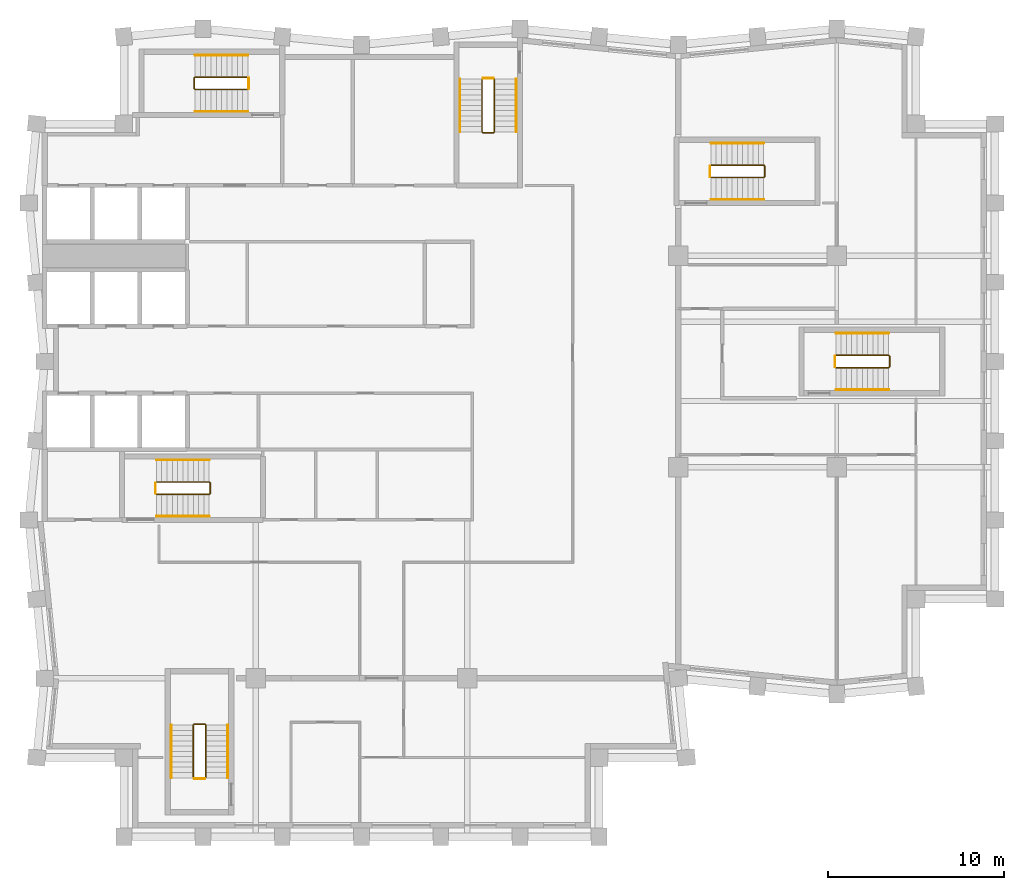
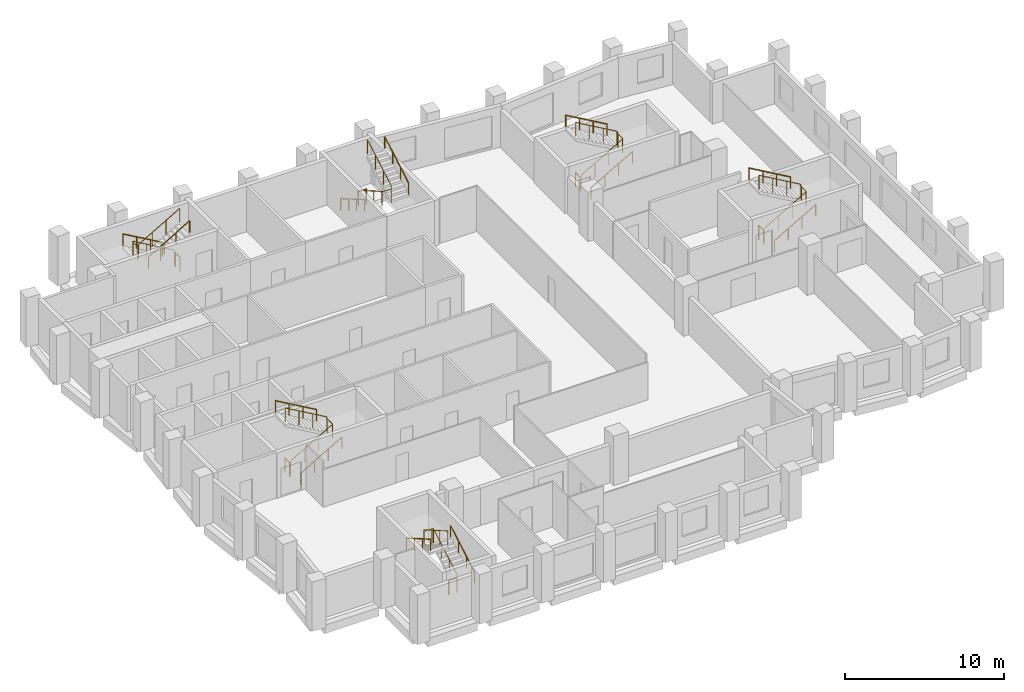
# One storey, part 7 of 7: 24 railings.
"""IFC4 building model written with IfcOpenShell, lengths in metres."""

from ifc_helpers import new_model, si_unit, direction, frame, origin, origin_2d, place, context, subcontext, project, spatial, circle, extrude, material, type_object, element, save


model = new_model("IFC4")

# Units and contexts
model_context = context("Model", 3, precision=1e-05, world=origin(), true_north=direction((0.0, 1.0)))
body_context = subcontext(model_context, "Body", "Model", "MODEL_VIEW")
ifc_project = project(units=[si_unit("LENGTHUNIT", "METRE"), si_unit("AREAUNIT", "SQUARE_METRE"), si_unit("VOLUMEUNIT", "CUBIC_METRE"), si_unit("PLANEANGLEUNIT", "RADIAN"), si_unit("MASSUNIT", "GRAM", prefix="KILO")], contexts=[model_context])

# Site, building, storey
site_placement = place(None, origin())
site = spatial("IfcSite", under=ifc_project, at=site_placement, CompositionType="ELEMENT")
building_placement = place(site_placement, origin())
building = spatial("IfcBuilding", under=site, at=building_placement, Name="Brondeck Convention Tower", CompositionType="ELEMENT")
storey_placement = place(building_placement, frame((0.0, 0.0, 202.60009765625)))
storey = spatial("IfcBuildingStorey", under=building, at=storey_placement, Name="L49", CompositionType="ELEMENT", Elevation=202.60009765625)

# Railings
ifc_material = material(Name="Steel S355", Category="steel")
railing_type_1 = type_object("IfcRailingType", Name="Stair guard 1100", PredefinedType="GUARDRAIL", material=ifc_material)
railing_1_placement = place(storey_placement, frame((6.35009765625, 37.449951171875, 0.172607421875)))
element("IfcRailing", 1, at=railing_1_placement, inside=storey, type_object=railing_type_1, Name="L49 ST-1 stair guard 1", PredefinedType="GUARDRAIL", context=body_context, shape_type="SweptSolid", body=[
    extrude(circle(Radius=0.02392578125, at=origin_2d()), frame((0.0, 0.0, 1.076171875), z_axis=(0.866619684472, 0.0, 0.498969260062), x_axis=(0.0, 1.0, 0.0)), (0.0, 0.0, 1.0), 3.461669921875),
    extrude(circle(Radius=0.02392578125, at=origin_2d()), frame((3.0, 0.0, 2.80322265625), z_axis=(0.705375805398, 0.708833529934, 0.0), x_axis=(-0.708833529934, 0.705375805398, 0.0)), (0.0, 0.0, 1.0), 0.070556640625),
    extrude(circle(Radius=0.02392578125, at=origin_2d()), frame((3.0498046875, 0.050048828125, 2.80322265625), z_axis=(0.0, 1.0, 0.0), x_axis=(-1.0, 0.0, 0.0)), (0.0, 0.0, 1.0), 0.60009765625),
    extrude(circle(Radius=0.02392578125, at=origin_2d()), frame((3.0498046875, 0.650146484375, 2.80322265625), z_axis=(-0.26715648603, 0.26715648603, 0.925880566782), x_axis=(-0.707106781187, -0.707106781187, 0.0)), (0.0, 0.0, 1.0), 0.1865234375),
    extrude(circle(Radius=0.02392578125, at=origin_2d()), frame((3.0, 0.699951171875, 2.97607421875), z_axis=(-0.866619684472, 0.0, 0.498969260062), x_axis=(0.0, -1.0, 0.0)), (0.0, 0.0, 1.0), 3.461669921875),
    extrude(circle(Radius=0.02099609375, at=origin_2d()), origin(), (0.0, 0.0, 1.0), 1.052001953125),
    extrude(circle(Radius=0.02099609375, at=origin_2d()), frame((1.0, 0.0, 0.57568359375)), (0.0, 0.0, 1.0), 1.052001953125),
    extrude(circle(Radius=0.02099609375, at=origin_2d()), frame((2.0, 0.0, 1.151611328125)), (0.0, 0.0, 1.0), 1.052001953125),
    extrude(circle(Radius=0.02099609375, at=origin_2d()), frame((3.0, 0.0, 1.727294921875)), (0.0, 0.0, 1.0), 1.052001953125),
    extrude(circle(Radius=0.02099609375, at=origin_2d()), frame((3.0498046875, 0.050048828125, 1.727294921875)), (0.0, 0.0, 1.0), 1.052001953125),
    extrude(circle(Radius=0.02099609375, at=origin_2d()), frame((3.0498046875, 0.650146484375, 1.727294921875)), (0.0, 0.0, 1.0), 1.052001953125),
    extrude(circle(Radius=0.02099609375, at=origin_2d()), frame((3.0, 0.699951171875, 1.89990234375)), (0.0, 0.0, 1.0), 1.052001953125),
    extrude(circle(Radius=0.02099609375, at=origin_2d()), frame((2.0, 0.699951171875, 2.4755859375)), (0.0, 0.0, 1.0), 1.052001953125),
    extrude(circle(Radius=0.02099609375, at=origin_2d()), frame((1.0, 0.699951171875, 3.051513671875)), (0.0, 0.0, 1.0), 1.052001953125),
    extrude(circle(Radius=0.02099609375, at=origin_2d()), frame((0.0, 0.699951171875, 3.627197265625)), (0.0, 0.0, 1.0), 1.052001953125),
])
railing_2_placement = place(storey_placement, frame((6.300048828125, 37.5, 0.0)))
element("IfcRailing", 2, at=railing_2_placement, inside=storey, type_object=railing_type_1, Name="L49 ST-1 stair guard 2", PredefinedType="GUARDRAIL", context=body_context, shape_type="SweptSolid", body=[
    extrude(circle(Radius=0.02392578125, at=origin_2d()), frame((0.0, 0.0, 1.076171875), z_axis=(0.0, 1.0, 0.0), x_axis=(-1.0, 0.0, 0.0)), (0.0, 0.0, 1.0), 0.60009765625),
    extrude(circle(Radius=0.02099609375, at=origin_2d()), origin(), (0.0, 0.0, 1.0), 1.052001953125),
    extrude(circle(Radius=0.02099609375, at=origin_2d()), frame((0.0, 0.60009765625, 0.0)), (0.0, 0.0, 1.0), 1.052001953125),
])
railing_3_placement = place(storey_placement, frame((24.85009765625, 61.050048828125, 0.172607421875)))
element("IfcRailing", 3, at=railing_3_placement, inside=storey, type_object=railing_type_1, Name="L49 ST-2 stair guard 1", PredefinedType="GUARDRAIL", context=body_context, shape_type="SweptSolid", body=[
    extrude(circle(Radius=0.02392578125, at=origin_2d()), frame((0.0, 0.0, 1.076171875), z_axis=(0.0, -0.866619684472, 0.498969260062), x_axis=(1.0, 0.0, 0.0)), (0.0, 0.0, 1.0), 3.461669921875),
    extrude(circle(Radius=0.02392578125, at=origin_2d()), frame((0.0, -3.0, 2.80322265625), z_axis=(0.705375805398, -0.708833529934, 0.0), x_axis=(0.708833529934, 0.705375805398, 0.0)), (0.0, 0.0, 1.0), 0.070556640625),
    extrude(circle(Radius=0.02392578125, at=origin_2d()), frame((0.0498046875, -3.050048828125, 2.80322265625), z_axis=(1.0, 0.0, 0.0), x_axis=(0.0, 1.0, 0.0)), (0.0, 0.0, 1.0), 0.60009765625),
    extrude(circle(Radius=0.02392578125, at=origin_2d()), frame((0.64990234375, -3.050048828125, 2.80322265625), z_axis=(0.268277960024, 0.268277960024, 0.925231793839), x_axis=(-0.707106781187, 0.707106781187, 0.0)), (0.0, 0.0, 1.0), 0.1865234375),
    extrude(circle(Radius=0.02392578125, at=origin_2d()), frame((0.699951171875, -3.0, 2.97607421875), z_axis=(0.0, 0.866619684472, 0.498969260062), x_axis=(-1.0, 0.0, 0.0)), (0.0, 0.0, 1.0), 3.461669921875),
    extrude(circle(Radius=0.02099609375, at=origin_2d()), origin(), (0.0, 0.0, 1.0), 1.052001953125),
    extrude(circle(Radius=0.02099609375, at=origin_2d()), frame((0.0, -1.0, 0.57568359375)), (0.0, 0.0, 1.0), 1.052001953125),
    extrude(circle(Radius=0.02099609375, at=origin_2d()), frame((0.0, -2.0, 1.151611328125)), (0.0, 0.0, 1.0), 1.052001953125),
    extrude(circle(Radius=0.02099609375, at=origin_2d()), frame((0.0, -3.0, 1.727294921875)), (0.0, 0.0, 1.0), 1.052001953125),
    extrude(circle(Radius=0.02099609375, at=origin_2d()), frame((0.0498046875, -3.050048828125, 1.727294921875)), (0.0, 0.0, 1.0), 1.052001953125),
    extrude(circle(Radius=0.02099609375, at=origin_2d()), frame((0.64990234375, -3.050048828125, 1.727294921875)), (0.0, 0.0, 1.0), 1.052001953125),
    extrude(circle(Radius=0.02099609375, at=origin_2d()), frame((0.699951171875, -3.0, 1.89990234375)), (0.0, 0.0, 1.0), 1.052001953125),
    extrude(circle(Radius=0.02099609375, at=origin_2d()), frame((0.699951171875, -2.0, 2.4755859375)), (0.0, 0.0, 1.0), 1.052001953125),
    extrude(circle(Radius=0.02099609375, at=origin_2d()), frame((0.699951171875, -1.0, 3.051513671875)), (0.0, 0.0, 1.0), 1.052001953125),
    extrude(circle(Radius=0.02099609375, at=origin_2d()), frame((0.699951171875, 0.0, 3.627197265625)), (0.0, 0.0, 1.0), 1.052001953125),
])
railing_4_placement = place(storey_placement, frame((24.89990234375, 61.10009765625, 0.0)))
element("IfcRailing", 4, at=railing_4_placement, inside=storey, type_object=railing_type_1, Name="L49 ST-2 stair guard 2", PredefinedType="GUARDRAIL", context=body_context, shape_type="SweptSolid", body=[
    extrude(circle(Radius=0.02392578125, at=origin_2d()), frame((0.0, 0.0, 1.076171875), z_axis=(1.0, 0.0, 0.0), x_axis=(0.0, 1.0, 0.0)), (0.0, 0.0, 1.0), 0.60009765625),
    extrude(circle(Radius=0.02099609375, at=origin_2d()), origin(), (0.0, 0.0, 1.0), 1.052001953125),
    extrude(circle(Radius=0.02099609375, at=origin_2d()), frame((0.60009765625, 0.0, 0.0)), (0.0, 0.0, 1.0), 1.052001953125),
])
railing_5_placement = place(storey_placement, frame((11.550048828125, 61.14990234375, 0.172607421875)))
element("IfcRailing", 5, at=railing_5_placement, inside=storey, type_object=railing_type_1, Name="L49 ST-3 stair guard 1", PredefinedType="GUARDRAIL", context=body_context, shape_type="SweptSolid", body=[
    extrude(circle(Radius=0.02392578125, at=origin_2d()), frame((0.0, 0.0, 1.076171875), z_axis=(-0.866619684472, 0.0, 0.498969260062), x_axis=(0.0, -1.0, 0.0)), (0.0, 0.0, 1.0), 3.461669921875),
    extrude(circle(Radius=0.02392578125, at=origin_2d()), frame((-3.0, 0.0, 2.80322265625), z_axis=(-0.708833529934, -0.705375805398, 0.0), x_axis=(0.705375805398, -0.708833529934, 0.0)), (0.0, 0.0, 1.0), 0.070556640625),
    extrude(circle(Radius=0.02392578125, at=origin_2d()), frame((-3.050048828125, -0.0498046875, 2.80322265625), z_axis=(0.0, -1.0, 0.0), x_axis=(1.0, 0.0, 0.0)), (0.0, 0.0, 1.0), 0.60009765625),
    extrude(circle(Radius=0.02392578125, at=origin_2d()), frame((-3.050048828125, -0.64990234375, 2.80322265625), z_axis=(0.268277960024, -0.268277960024, 0.925231793839), x_axis=(0.707106781187, 0.707106781187, 0.0)), (0.0, 0.0, 1.0), 0.1865234375),
    extrude(circle(Radius=0.02392578125, at=origin_2d()), frame((-3.0, -0.699951171875, 2.97607421875), z_axis=(0.866619684472, 0.0, 0.498969260062), x_axis=(0.0, 1.0, 0.0)), (0.0, 0.0, 1.0), 3.461669921875),
    extrude(circle(Radius=0.02099609375, at=origin_2d()), origin(), (0.0, 0.0, 1.0), 1.052001953125),
    extrude(circle(Radius=0.02099609375, at=origin_2d()), frame((-1.0, 0.0, 0.57568359375)), (0.0, 0.0, 1.0), 1.052001953125),
    extrude(circle(Radius=0.02099609375, at=origin_2d()), frame((-2.0, 0.0, 1.151611328125)), (0.0, 0.0, 1.0), 1.052001953125),
    extrude(circle(Radius=0.02099609375, at=origin_2d()), frame((-3.0, 0.0, 1.727294921875)), (0.0, 0.0, 1.0), 1.052001953125),
    extrude(circle(Radius=0.02099609375, at=origin_2d()), frame((-3.050048828125, -0.0498046875, 1.727294921875)), (0.0, 0.0, 1.0), 1.052001953125),
    extrude(circle(Radius=0.02099609375, at=origin_2d()), frame((-3.050048828125, -0.64990234375, 1.727294921875)), (0.0, 0.0, 1.0), 1.052001953125),
    extrude(circle(Radius=0.02099609375, at=origin_2d()), frame((-3.0, -0.699951171875, 1.89990234375)), (0.0, 0.0, 1.0), 1.052001953125),
    extrude(circle(Radius=0.02099609375, at=origin_2d()), frame((-2.0, -0.699951171875, 2.4755859375)), (0.0, 0.0, 1.0), 1.052001953125),
    extrude(circle(Radius=0.02099609375, at=origin_2d()), frame((-1.0, -0.699951171875, 3.051513671875)), (0.0, 0.0, 1.0), 1.052001953125),
    extrude(circle(Radius=0.02099609375, at=origin_2d()), frame((0.0, -0.699951171875, 3.627197265625)), (0.0, 0.0, 1.0), 1.052001953125),
])
railing_6_placement = place(storey_placement, frame((11.60009765625, 61.10009765625, 0.0)))
element("IfcRailing", 6, at=railing_6_placement, inside=storey, type_object=railing_type_1, Name="L49 ST-3 stair guard 2", PredefinedType="GUARDRAIL", context=body_context, shape_type="SweptSolid", body=[
    extrude(circle(Radius=0.02392578125, at=origin_2d()), frame((0.0, 0.0, 1.076171875), z_axis=(0.0, -1.0, 0.0), x_axis=(1.0, 0.0, 0.0)), (0.0, 0.0, 1.0), 0.60009765625),
    extrude(circle(Radius=0.02099609375, at=origin_2d()), origin(), (0.0, 0.0, 1.0), 1.052001953125),
    extrude(circle(Radius=0.02099609375, at=origin_2d()), frame((0.0, -0.60009765625, 0.0)), (0.0, 0.0, 1.0), 1.052001953125),
])
railing_7_placement = place(storey_placement, frame((37.85009765625, 55.449951171875, 0.172607421875)))
element("IfcRailing", 7, at=railing_7_placement, inside=storey, type_object=railing_type_1, Name="L49 ST-AE stair guard 1", PredefinedType="GUARDRAIL", context=body_context, shape_type="SweptSolid", body=[
    extrude(circle(Radius=0.02392578125, at=origin_2d()), frame((0.0, 0.0, 1.076171875), z_axis=(0.866619684472, 0.0, 0.498969260062), x_axis=(0.0, 1.0, 0.0)), (0.0, 0.0, 1.0), 3.461669921875),
    extrude(circle(Radius=0.02392578125, at=origin_2d()), frame((3.0, 0.0, 2.80322265625), z_axis=(0.705375805398, 0.708833529934, 0.0), x_axis=(-0.708833529934, 0.705375805398, 0.0)), (0.0, 0.0, 1.0), 0.070556640625),
    extrude(circle(Radius=0.02392578125, at=origin_2d()), frame((3.0498046875, 0.050048828125, 2.80322265625), z_axis=(0.0, 1.0, 0.0), x_axis=(-1.0, 0.0, 0.0)), (0.0, 0.0, 1.0), 0.60009765625),
    extrude(circle(Radius=0.02392578125, at=origin_2d()), frame((3.0498046875, 0.650146484375, 2.80322265625), z_axis=(-0.26715648603, 0.26715648603, 0.925880566782), x_axis=(-0.707106781187, -0.707106781187, 0.0)), (0.0, 0.0, 1.0), 0.1865234375),
    extrude(circle(Radius=0.02392578125, at=origin_2d()), frame((3.0, 0.699951171875, 2.97607421875), z_axis=(-0.866619684472, 0.0, 0.498969260062), x_axis=(0.0, -1.0, 0.0)), (0.0, 0.0, 1.0), 3.461669921875),
    extrude(circle(Radius=0.02099609375, at=origin_2d()), origin(), (0.0, 0.0, 1.0), 1.052001953125),
    extrude(circle(Radius=0.02099609375, at=origin_2d()), frame((1.0, 0.0, 0.57568359375)), (0.0, 0.0, 1.0), 1.052001953125),
    extrude(circle(Radius=0.02099609375, at=origin_2d()), frame((2.0, 0.0, 1.151611328125)), (0.0, 0.0, 1.0), 1.052001953125),
    extrude(circle(Radius=0.02099609375, at=origin_2d()), frame((3.0, 0.0, 1.727294921875)), (0.0, 0.0, 1.0), 1.052001953125),
    extrude(circle(Radius=0.02099609375, at=origin_2d()), frame((3.0498046875, 0.050048828125, 1.727294921875)), (0.0, 0.0, 1.0), 1.052001953125),
    extrude(circle(Radius=0.02099609375, at=origin_2d()), frame((3.0498046875, 0.650146484375, 1.727294921875)), (0.0, 0.0, 1.0), 1.052001953125),
    extrude(circle(Radius=0.02099609375, at=origin_2d()), frame((3.0, 0.699951171875, 1.89990234375)), (0.0, 0.0, 1.0), 1.052001953125),
    extrude(circle(Radius=0.02099609375, at=origin_2d()), frame((2.0, 0.699951171875, 2.4755859375)), (0.0, 0.0, 1.0), 1.052001953125),
    extrude(circle(Radius=0.02099609375, at=origin_2d()), frame((1.0, 0.699951171875, 3.051513671875)), (0.0, 0.0, 1.0), 1.052001953125),
    extrude(circle(Radius=0.02099609375, at=origin_2d()), frame((0.0, 0.699951171875, 3.627197265625)), (0.0, 0.0, 1.0), 1.052001953125),
])
railing_8_placement = place(storey_placement, frame((37.800048828125, 55.5, 0.0)))
element("IfcRailing", 8, at=railing_8_placement, inside=storey, type_object=railing_type_1, Name="L49 ST-AE stair guard 2", PredefinedType="GUARDRAIL", context=body_context, shape_type="SweptSolid", body=[
    extrude(circle(Radius=0.02392578125, at=origin_2d()), frame((0.0, 0.0, 1.076171875), z_axis=(0.0, 1.0, 0.0), x_axis=(-1.0, 0.0, 0.0)), (0.0, 0.0, 1.0), 0.60009765625),
    extrude(circle(Radius=0.02099609375, at=origin_2d()), origin(), (0.0, 0.0, 1.0), 1.052001953125),
    extrude(circle(Radius=0.02099609375, at=origin_2d()), frame((0.0, 0.60009765625, 0.0)), (0.0, 0.0, 1.0), 1.052001953125),
])
railing_9_placement = place(storey_placement, frame((9.14990234375, 21.35009765625, 0.172607421875)))
element("IfcRailing", 9, at=railing_9_placement, inside=storey, type_object=railing_type_1, Name="L49 ST-BE stair guard 1", PredefinedType="GUARDRAIL", context=body_context, shape_type="SweptSolid", body=[
    extrude(circle(Radius=0.02392578125, at=origin_2d()), frame((0.0, 0.0, 1.076171875), z_axis=(0.0, 0.866619684472, 0.498969260062), x_axis=(-1.0, 0.0, 0.0)), (0.0, 0.0, 1.0), 3.461669921875),
    extrude(circle(Radius=0.02392578125, at=origin_2d()), frame((0.0, 3.0, 2.80322265625), z_axis=(-0.707106781187, 0.707106781187, 0.0), x_axis=(-0.707106781187, -0.707106781187, 0.0)), (0.0, 0.0, 1.0), 0.0703125),
    extrude(circle(Radius=0.02392578125, at=origin_2d()), frame((-0.0498046875, 3.0498046875, 2.80322265625), z_axis=(-1.0, 0.0, 0.0), x_axis=(0.0, -1.0, 0.0)), (0.0, 0.0, 1.0), 0.60009765625),
    extrude(circle(Radius=0.02392578125, at=origin_2d()), frame((-0.64990234375, 3.0498046875, 2.80322265625), z_axis=(-0.268371968888, -0.267062837333, 0.925556009775), x_axis=(0.705375805398, -0.708833529934, 0.0)), (0.0, 0.0, 1.0), 0.1865234375),
    extrude(circle(Radius=0.02392578125, at=origin_2d()), frame((-0.699951171875, 3.0, 2.97607421875), z_axis=(0.0, -0.866619684472, 0.498969260062), x_axis=(1.0, 0.0, 0.0)), (0.0, 0.0, 1.0), 3.461669921875),
    extrude(circle(Radius=0.02099609375, at=origin_2d()), origin(), (0.0, 0.0, 1.0), 1.052001953125),
    extrude(circle(Radius=0.02099609375, at=origin_2d()), frame((0.0, 1.0, 0.57568359375)), (0.0, 0.0, 1.0), 1.052001953125),
    extrude(circle(Radius=0.02099609375, at=origin_2d()), frame((0.0, 2.0, 1.151611328125)), (0.0, 0.0, 1.0), 1.052001953125),
    extrude(circle(Radius=0.02099609375, at=origin_2d()), frame((0.0, 3.0, 1.727294921875)), (0.0, 0.0, 1.0), 1.052001953125),
    extrude(circle(Radius=0.02099609375, at=origin_2d()), frame((-0.0498046875, 3.0498046875, 1.727294921875)), (0.0, 0.0, 1.0), 1.052001953125),
    extrude(circle(Radius=0.02099609375, at=origin_2d()), frame((-0.64990234375, 3.0498046875, 1.727294921875)), (0.0, 0.0, 1.0), 1.052001953125),
    extrude(circle(Radius=0.02099609375, at=origin_2d()), frame((-0.699951171875, 3.0, 1.89990234375)), (0.0, 0.0, 1.0), 1.052001953125),
    extrude(circle(Radius=0.02099609375, at=origin_2d()), frame((-0.699951171875, 2.0, 2.4755859375)), (0.0, 0.0, 1.0), 1.052001953125),
    extrude(circle(Radius=0.02099609375, at=origin_2d()), frame((-0.699951171875, 1.0, 3.051513671875)), (0.0, 0.0, 1.0), 1.052001953125),
    extrude(circle(Radius=0.02099609375, at=origin_2d()), frame((-0.699951171875, 0.0, 3.627197265625)), (0.0, 0.0, 1.0), 1.052001953125),
])
railing_10_placement = place(storey_placement, frame((9.10009765625, 21.300048828125, 0.0)))
element("IfcRailing", 10, at=railing_10_placement, inside=storey, type_object=railing_type_1, Name="L49 ST-BE stair guard 2", PredefinedType="GUARDRAIL", context=body_context, shape_type="SweptSolid", body=[
    extrude(circle(Radius=0.02392578125, at=origin_2d()), frame((0.0, 0.0, 1.076171875), z_axis=(-1.0, 0.0, 0.0), x_axis=(0.0, -1.0, 0.0)), (0.0, 0.0, 1.0), 0.60009765625),
    extrude(circle(Radius=0.02099609375, at=origin_2d()), origin(), (0.0, 0.0, 1.0), 1.052001953125),
    extrude(circle(Radius=0.02099609375, at=origin_2d()), frame((-0.60009765625, 0.0, 0.0)), (0.0, 0.0, 1.0), 1.052001953125),
])
railing_11_placement = place(storey_placement, frame((44.949951171875, 44.64990234375, 0.172607421875)))
element("IfcRailing", 11, at=railing_11_placement, inside=storey, type_object=railing_type_1, Name="L49 ST-AF stair guard 1", PredefinedType="GUARDRAIL", context=body_context, shape_type="SweptSolid", body=[
    extrude(circle(Radius=0.02392578125, at=origin_2d()), frame((0.0, 0.0, 1.076171875), z_axis=(0.866619684472, 0.0, 0.498969260062), x_axis=(0.0, 1.0, 0.0)), (0.0, 0.0, 1.0), 3.461669921875),
    extrude(circle(Radius=0.02392578125, at=origin_2d()), frame((3.0, 0.0, 2.80322265625), z_axis=(0.707106781187, 0.707106781187, 0.0), x_axis=(-0.707106781187, 0.707106781187, 0.0)), (0.0, 0.0, 1.0), 0.07080078125),
    extrude(circle(Radius=0.02392578125, at=origin_2d()), frame((3.050048828125, 0.050048828125, 2.80322265625), z_axis=(0.0, 1.0, 0.0), x_axis=(-1.0, 0.0, 0.0)), (0.0, 0.0, 1.0), 0.60009765625),
    extrude(circle(Radius=0.02392578125, at=origin_2d()), frame((3.050048828125, 0.650146484375, 2.80322265625), z_axis=(-0.268277960024, 0.268277960024, 0.925231793839), x_axis=(-0.707106781187, -0.707106781187, 0.0)), (0.0, 0.0, 1.0), 0.1865234375),
    extrude(circle(Radius=0.02392578125, at=origin_2d()), frame((3.0, 0.7001953125, 2.97607421875), z_axis=(-0.866619684472, 0.0, 0.498969260062), x_axis=(0.0, -1.0, 0.0)), (0.0, 0.0, 1.0), 3.461669921875),
    extrude(circle(Radius=0.02099609375, at=origin_2d()), origin(), (0.0, 0.0, 1.0), 1.052001953125),
    extrude(circle(Radius=0.02099609375, at=origin_2d()), frame((1.0, 0.0, 0.57568359375)), (0.0, 0.0, 1.0), 1.052001953125),
    extrude(circle(Radius=0.02099609375, at=origin_2d()), frame((2.0, 0.0, 1.151611328125)), (0.0, 0.0, 1.0), 1.052001953125),
    extrude(circle(Radius=0.02099609375, at=origin_2d()), frame((3.0, 0.0, 1.727294921875)), (0.0, 0.0, 1.0), 1.052001953125),
    extrude(circle(Radius=0.02099609375, at=origin_2d()), frame((3.050048828125, 0.050048828125, 1.727294921875)), (0.0, 0.0, 1.0), 1.052001953125),
    extrude(circle(Radius=0.02099609375, at=origin_2d()), frame((3.050048828125, 0.650146484375, 1.727294921875)), (0.0, 0.0, 1.0), 1.052001953125),
    extrude(circle(Radius=0.02099609375, at=origin_2d()), frame((3.0, 0.7001953125, 1.89990234375)), (0.0, 0.0, 1.0), 1.052001953125),
    extrude(circle(Radius=0.02099609375, at=origin_2d()), frame((2.0, 0.7001953125, 2.4755859375)), (0.0, 0.0, 1.0), 1.052001953125),
    extrude(circle(Radius=0.02099609375, at=origin_2d()), frame((1.0, 0.7001953125, 3.051513671875)), (0.0, 0.0, 1.0), 1.052001953125),
    extrude(circle(Radius=0.02099609375, at=origin_2d()), frame((0.0, 0.7001953125, 3.627197265625)), (0.0, 0.0, 1.0), 1.052001953125),
])
railing_12_placement = place(storey_placement, frame((44.89990234375, 44.699951171875, 0.0)))
element("IfcRailing", 12, at=railing_12_placement, inside=storey, type_object=railing_type_1, Name="L49 ST-AF stair guard 2", PredefinedType="GUARDRAIL", context=body_context, shape_type="SweptSolid", body=[
    extrude(circle(Radius=0.02392578125, at=origin_2d()), frame((0.0, 0.0, 1.076171875), z_axis=(0.0, 1.0, 0.0), x_axis=(-1.0, 0.0, 0.0)), (0.0, 0.0, 1.0), 0.60009765625),
    extrude(circle(Radius=0.02099609375, at=origin_2d()), origin(), (0.0, 0.0, 1.0), 1.052001953125),
    extrude(circle(Radius=0.02099609375, at=origin_2d()), frame((0.0, 0.60009765625, 0.0)), (0.0, 0.0, 1.0), 1.052001953125),
])
railing_type_2 = type_object("IfcRailingType", Name="Stair handrail", PredefinedType="HANDRAIL", material=ifc_material)
railing_13_placement = place(storey_placement, frame((6.35009765625, 36.199951171875, 0.172607421875)))
element("IfcRailing", 13, at=railing_13_placement, inside=storey, type_object=railing_type_2, Name="L49 ST-1 stair handrail 1", PredefinedType="HANDRAIL", context=body_context, shape_type="SweptSolid", body=[
    extrude(circle(Radius=0.02392578125, at=origin_2d()), frame((0.0, 0.0, 0.8759765625), z_axis=(0.866619684472, 0.0, 0.498969260062), x_axis=(0.0, 1.0, 0.0)), (0.0, 0.0, 1.0), 3.461669921875),
    extrude(circle(Radius=0.02099609375, at=origin_2d()), origin(), (0.0, 0.0, 1.0), 0.851806640625),
    extrude(circle(Radius=0.02099609375, at=origin_2d()), frame((1.0, 0.0, 0.57568359375)), (0.0, 0.0, 1.0), 0.851806640625),
    extrude(circle(Radius=0.02099609375, at=origin_2d()), frame((2.0, 0.0, 1.151611328125)), (0.0, 0.0, 1.0), 0.851806640625),
    extrude(circle(Radius=0.02099609375, at=origin_2d()), frame((3.0, 0.0, 1.727294921875)), (0.0, 0.0, 1.0), 0.851806640625),
])
railing_14_placement = place(storey_placement, frame((9.35009765625, 39.39990234375, 2.072509765625)))
element("IfcRailing", 14, at=railing_14_placement, inside=storey, type_object=railing_type_2, Name="L49 ST-1 stair handrail 2", PredefinedType="HANDRAIL", context=body_context, shape_type="SweptSolid", body=[
    extrude(circle(Radius=0.02392578125, at=origin_2d()), frame((0.0, 0.0, 0.8759765625), z_axis=(-0.866619684472, 0.0, 0.498969260062), x_axis=(0.0, -1.0, 0.0)), (0.0, 0.0, 1.0), 3.461669921875),
    extrude(circle(Radius=0.02099609375, at=origin_2d()), origin(), (0.0, 0.0, 1.0), 0.851806640625),
    extrude(circle(Radius=0.02099609375, at=origin_2d()), frame((-1.0, 0.0, 0.57568359375)), (0.0, 0.0, 1.0), 0.851806640625),
    extrude(circle(Radius=0.02099609375, at=origin_2d()), frame((-2.0, 0.0, 1.151611328125)), (0.0, 0.0, 1.0), 0.851806640625),
    extrude(circle(Radius=0.02099609375, at=origin_2d()), frame((-3.0, 0.0, 1.727294921875)), (0.0, 0.0, 1.0), 0.851806640625),
])
railing_15_placement = place(storey_placement, frame((23.60009765625, 61.050048828125, 0.172607421875)))
element("IfcRailing", 15, at=railing_15_placement, inside=storey, type_object=railing_type_2, Name="L49 ST-2 stair handrail 1", PredefinedType="HANDRAIL", context=body_context, shape_type="SweptSolid", body=[
    extrude(circle(Radius=0.02392578125, at=origin_2d()), frame((0.0, 0.0, 0.8759765625), z_axis=(0.0, -0.866619684472, 0.498969260062), x_axis=(1.0, 0.0, 0.0)), (0.0, 0.0, 1.0), 3.461669921875),
    extrude(circle(Radius=0.02099609375, at=origin_2d()), origin(), (0.0, 0.0, 1.0), 0.851806640625),
    extrude(circle(Radius=0.02099609375, at=origin_2d()), frame((0.0, -1.0, 0.57568359375)), (0.0, 0.0, 1.0), 0.851806640625),
    extrude(circle(Radius=0.02099609375, at=origin_2d()), frame((0.0, -2.0, 1.151611328125)), (0.0, 0.0, 1.0), 0.851806640625),
    extrude(circle(Radius=0.02099609375, at=origin_2d()), frame((0.0, -3.0, 1.727294921875)), (0.0, 0.0, 1.0), 0.851806640625),
])
railing_16_placement = place(storey_placement, frame((26.800048828125, 58.050048828125, 2.072509765625)))
element("IfcRailing", 16, at=railing_16_placement, inside=storey, type_object=railing_type_2, Name="L49 ST-2 stair handrail 2", PredefinedType="HANDRAIL", context=body_context, shape_type="SweptSolid", body=[
    extrude(circle(Radius=0.02392578125, at=origin_2d()), frame((0.0, 0.0, 0.8759765625), z_axis=(0.0, 0.866619684472, 0.498969260062), x_axis=(-1.0, 0.0, 0.0)), (0.0, 0.0, 1.0), 3.461669921875),
    extrude(circle(Radius=0.02099609375, at=origin_2d()), origin(), (0.0, 0.0, 1.0), 0.851806640625),
    extrude(circle(Radius=0.02099609375, at=origin_2d()), frame((0.0, 1.0, 0.57568359375)), (0.0, 0.0, 1.0), 0.851806640625),
    extrude(circle(Radius=0.02099609375, at=origin_2d()), frame((0.0, 2.0, 1.151611328125)), (0.0, 0.0, 1.0), 0.851806640625),
    extrude(circle(Radius=0.02099609375, at=origin_2d()), frame((0.0, 3.0, 1.727294921875)), (0.0, 0.0, 1.0), 0.851806640625),
])
railing_17_placement = place(storey_placement, frame((11.550048828125, 62.39990234375, 0.172607421875)))
element("IfcRailing", 17, at=railing_17_placement, inside=storey, type_object=railing_type_2, Name="L49 ST-3 stair handrail 1", PredefinedType="HANDRAIL", context=body_context, shape_type="SweptSolid", body=[
    extrude(circle(Radius=0.02392578125, at=origin_2d()), frame((0.0, 0.0, 0.8759765625), z_axis=(-0.866619684472, 0.0, 0.498969260062), x_axis=(0.0, -1.0, 0.0)), (0.0, 0.0, 1.0), 3.461669921875),
    extrude(circle(Radius=0.02099609375, at=origin_2d()), origin(), (0.0, 0.0, 1.0), 0.851806640625),
    extrude(circle(Radius=0.02099609375, at=origin_2d()), frame((-1.0, 0.0, 0.57568359375)), (0.0, 0.0, 1.0), 0.851806640625),
    extrude(circle(Radius=0.02099609375, at=origin_2d()), frame((-2.0, 0.0, 1.151611328125)), (0.0, 0.0, 1.0), 0.851806640625),
    extrude(circle(Radius=0.02099609375, at=origin_2d()), frame((-3.0, 0.0, 1.727294921875)), (0.0, 0.0, 1.0), 0.851806640625),
])
for number, where, name in (
    (18, (8.550048828125, 59.199951171875, 2.072509765625), "L49 ST-3 stair handrail 2"),
    (19, (37.85009765625, 54.199951171875, 0.172607421875), "L49 ST-AE stair handrail 1"),
):
    element("IfcRailing", number, at=place(storey_placement, frame(where)), inside=storey, type_object=railing_type_2, Name=name, PredefinedType="HANDRAIL", context=body_context, shape_type="SweptSolid", body=[
        extrude(circle(Radius=0.02392578125, at=origin_2d()), frame((0.0, 0.0, 0.8759765625), z_axis=(0.866619684472, 0.0, 0.498969260062), x_axis=(0.0, 1.0, 0.0)), (0.0, 0.0, 1.0), 3.461669921875),
        extrude(circle(Radius=0.02099609375, at=origin_2d()), origin(), (0.0, 0.0, 1.0), 0.851806640625),
        extrude(circle(Radius=0.02099609375, at=origin_2d()), frame((1.0, 0.0, 0.57568359375)), (0.0, 0.0, 1.0), 0.851806640625),
        extrude(circle(Radius=0.02099609375, at=origin_2d()), frame((2.0, 0.0, 1.151611328125)), (0.0, 0.0, 1.0), 0.851806640625),
        extrude(circle(Radius=0.02099609375, at=origin_2d()), frame((3.0, 0.0, 1.727294921875)), (0.0, 0.0, 1.0), 0.851806640625),
    ])
railing_18_placement = place(storey_placement, frame((40.85009765625, 57.39990234375, 2.072509765625)))
element("IfcRailing", 20, at=railing_18_placement, inside=storey, type_object=railing_type_2, Name="L49 ST-AE stair handrail 2", PredefinedType="HANDRAIL", context=body_context, shape_type="SweptSolid", body=[
    extrude(circle(Radius=0.02392578125, at=origin_2d()), frame((0.0, 0.0, 0.8759765625), z_axis=(-0.866619684472, 0.0, 0.498969260062), x_axis=(0.0, -1.0, 0.0)), (0.0, 0.0, 1.0), 3.461669921875),
    extrude(circle(Radius=0.02099609375, at=origin_2d()), origin(), (0.0, 0.0, 1.0), 0.851806640625),
    extrude(circle(Radius=0.02099609375, at=origin_2d()), frame((-1.0, 0.0, 0.57568359375)), (0.0, 0.0, 1.0), 0.851806640625),
    extrude(circle(Radius=0.02099609375, at=origin_2d()), frame((-2.0, 0.0, 1.151611328125)), (0.0, 0.0, 1.0), 0.851806640625),
    extrude(circle(Radius=0.02099609375, at=origin_2d()), frame((-3.0, 0.0, 1.727294921875)), (0.0, 0.0, 1.0), 0.851806640625),
])
railing_19_placement = place(storey_placement, frame((10.39990234375, 21.35009765625, 0.172607421875)))
element("IfcRailing", 21, at=railing_19_placement, inside=storey, type_object=railing_type_2, Name="L49 ST-BE stair handrail 1", PredefinedType="HANDRAIL", context=body_context, shape_type="SweptSolid", body=[
    extrude(circle(Radius=0.02392578125, at=origin_2d()), frame((0.0, 0.0, 0.8759765625), z_axis=(0.0, 0.866619684472, 0.498969260062), x_axis=(-1.0, 0.0, 0.0)), (0.0, 0.0, 1.0), 3.461669921875),
    extrude(circle(Radius=0.02099609375, at=origin_2d()), origin(), (0.0, 0.0, 1.0), 0.851806640625),
    extrude(circle(Radius=0.02099609375, at=origin_2d()), frame((0.0, 1.0, 0.57568359375)), (0.0, 0.0, 1.0), 0.851806640625),
    extrude(circle(Radius=0.02099609375, at=origin_2d()), frame((0.0, 2.0, 1.151611328125)), (0.0, 0.0, 1.0), 0.851806640625),
    extrude(circle(Radius=0.02099609375, at=origin_2d()), frame((0.0, 3.0, 1.727294921875)), (0.0, 0.0, 1.0), 0.851806640625),
])
railing_20_placement = place(storey_placement, frame((7.199951171875, 24.35009765625, 2.072509765625)))
element("IfcRailing", 22, at=railing_20_placement, inside=storey, type_object=railing_type_2, Name="L49 ST-BE stair handrail 2", PredefinedType="HANDRAIL", context=body_context, shape_type="SweptSolid", body=[
    extrude(circle(Radius=0.02392578125, at=origin_2d()), frame((0.0, 0.0, 0.8759765625), z_axis=(0.0, -0.866619684472, 0.498969260062), x_axis=(1.0, 0.0, 0.0)), (0.0, 0.0, 1.0), 3.461669921875),
    extrude(circle(Radius=0.02099609375, at=origin_2d()), origin(), (0.0, 0.0, 1.0), 0.851806640625),
    extrude(circle(Radius=0.02099609375, at=origin_2d()), frame((0.0, -1.0, 0.57568359375)), (0.0, 0.0, 1.0), 0.851806640625),
    extrude(circle(Radius=0.02099609375, at=origin_2d()), frame((0.0, -2.0, 1.151611328125)), (0.0, 0.0, 1.0), 0.851806640625),
    extrude(circle(Radius=0.02099609375, at=origin_2d()), frame((0.0, -3.0, 1.727294921875)), (0.0, 0.0, 1.0), 0.851806640625),
])
railing_21_placement = place(storey_placement, frame((44.949951171875, 43.39990234375, 0.172607421875)))
element("IfcRailing", 23, at=railing_21_placement, inside=storey, type_object=railing_type_2, Name="L49 ST-AF stair handrail 1", PredefinedType="HANDRAIL", context=body_context, shape_type="SweptSolid", body=[
    extrude(circle(Radius=0.02392578125, at=origin_2d()), frame((0.0, 0.0, 0.8759765625), z_axis=(0.866619684472, 0.0, 0.498969260062), x_axis=(0.0, 1.0, 0.0)), (0.0, 0.0, 1.0), 3.461669921875),
    extrude(circle(Radius=0.02099609375, at=origin_2d()), origin(), (0.0, 0.0, 1.0), 0.851806640625),
    extrude(circle(Radius=0.02099609375, at=origin_2d()), frame((1.0, 0.0, 0.57568359375)), (0.0, 0.0, 1.0), 0.851806640625),
    extrude(circle(Radius=0.02099609375, at=origin_2d()), frame((2.0, 0.0, 1.151611328125)), (0.0, 0.0, 1.0), 0.851806640625),
    extrude(circle(Radius=0.02099609375, at=origin_2d()), frame((3.0, 0.0, 1.727294921875)), (0.0, 0.0, 1.0), 0.851806640625),
])
railing_22_placement = place(storey_placement, frame((47.949951171875, 46.60009765625, 2.072509765625)))
element("IfcRailing", 24, at=railing_22_placement, inside=storey, type_object=railing_type_2, Name="L49 ST-AF stair handrail 2", PredefinedType="HANDRAIL", context=body_context, shape_type="SweptSolid", body=[
    extrude(circle(Radius=0.02392578125, at=origin_2d()), frame((0.0, 0.0, 0.8759765625), z_axis=(-0.866619684472, 0.0, 0.498969260062), x_axis=(0.0, -1.0, 0.0)), (0.0, 0.0, 1.0), 3.461669921875),
    extrude(circle(Radius=0.02099609375, at=origin_2d()), origin(), (0.0, 0.0, 1.0), 0.851806640625),
    extrude(circle(Radius=0.02099609375, at=origin_2d()), frame((-1.0, 0.0, 0.57568359375)), (0.0, 0.0, 1.0), 0.851806640625),
    extrude(circle(Radius=0.02099609375, at=origin_2d()), frame((-2.0, 0.0, 1.151611328125)), (0.0, 0.0, 1.0), 0.851806640625),
    extrude(circle(Radius=0.02099609375, at=origin_2d()), frame((-3.0, 0.0, 1.727294921875)), (0.0, 0.0, 1.0), 0.851806640625),
])

save(model, "model.ifc")
